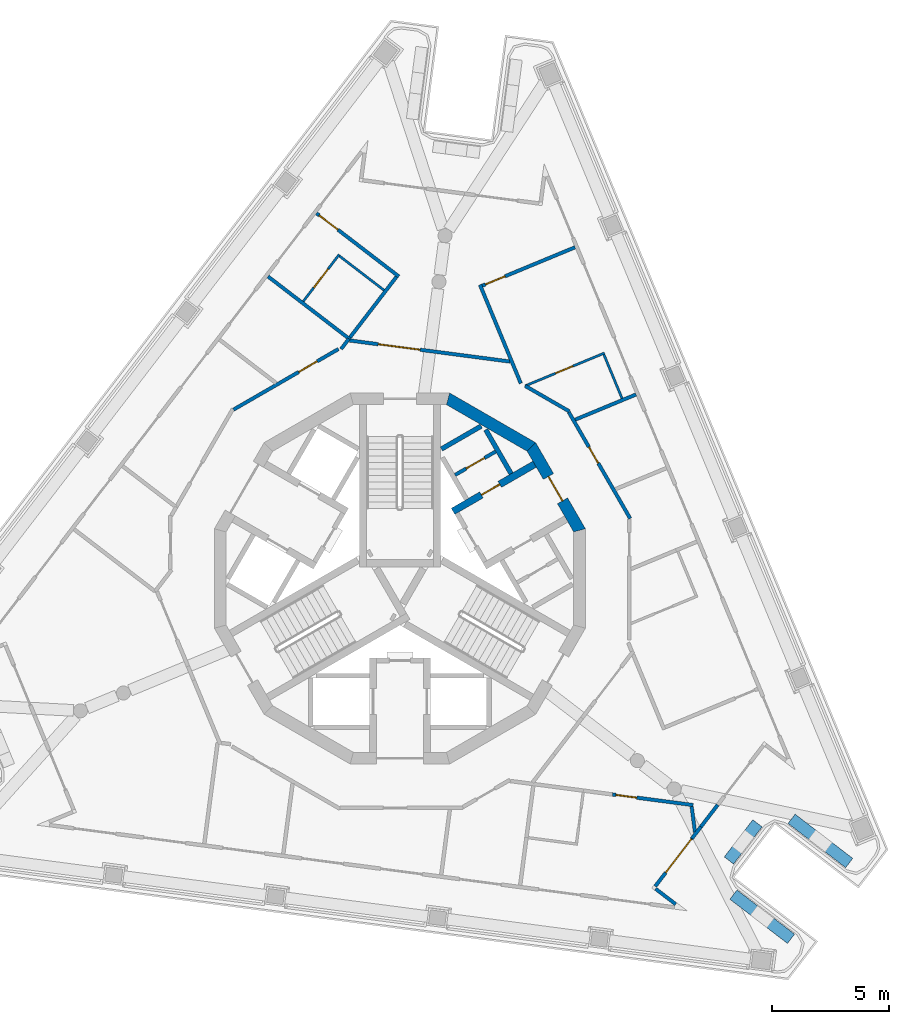
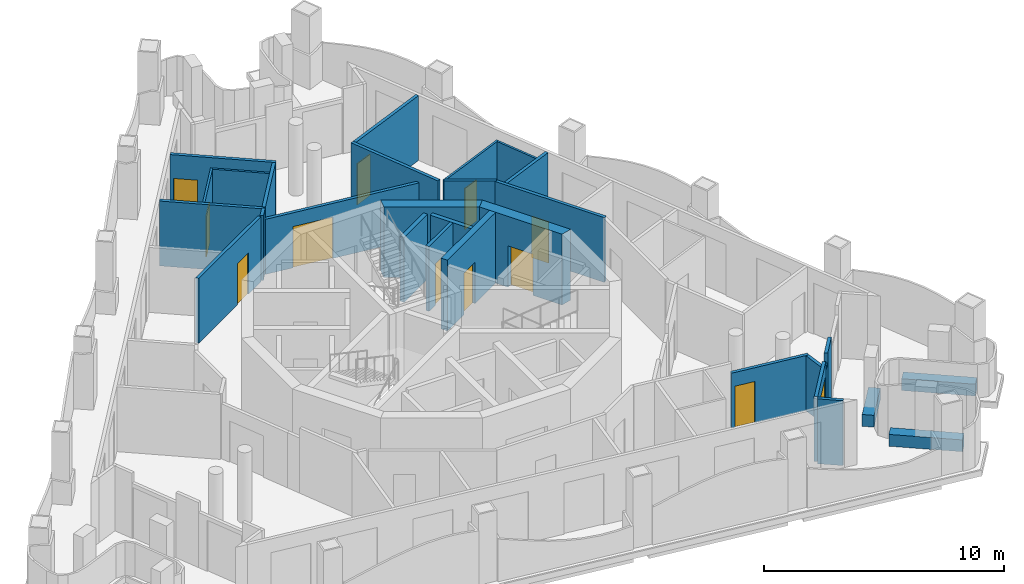
# One storey, part 5 of 13: 30 walls, 12 doors, 12 openings.
"""IFC4 building model written with IfcOpenShell, lengths in metres."""

from ifc_helpers import new_model, si_unit, direction, frame, frame_2d, origin, place, context, subcontext, project, spatial, polyline, rectangle, outline, extrude, material, layer, layer_set, type_object, element, fill, save


model = new_model("IFC4")

# Units and contexts
model_context = context("Model", 3, precision=1e-05, world=origin(), true_north=direction((0.0, 1.0)))
body_context = subcontext(model_context, "Body", "Model", "MODEL_VIEW")
ifc_project = project(units=[si_unit("LENGTHUNIT", "METRE"), si_unit("AREAUNIT", "SQUARE_METRE"), si_unit("VOLUMEUNIT", "CUBIC_METRE"), si_unit("PLANEANGLEUNIT", "RADIAN"), si_unit("MASSUNIT", "GRAM", prefix="KILO")], contexts=[model_context])

# Site, building, storey
site_placement = place(None, origin())
site = spatial("IfcSite", under=ifc_project, at=site_placement, CompositionType="ELEMENT")
building_placement = place(site_placement, origin())
building = spatial("IfcBuilding", under=site, at=building_placement, Name="Trine Commons Tower", CompositionType="ELEMENT")
storey_placement = place(building_placement, frame((0.0, 0.0, 286.199951171875)))
storey = spatial("IfcBuildingStorey", under=building, at=storey_placement, Name="L75", CompositionType="ELEMENT", Elevation=286.199951171875)

# Wall, opening, door
ifc_material_1 = material(Name="Plasterboard partition on steel studs", Category="steel")
ifc_layer_1 = layer(ifc_material_1, 0.14990234375)
ifc_layer_set_1 = layer_set([ifc_layer_1], Name="Plasterboard partition on steel studs")
wall_type_1 = type_object("IfcWallType", Name="Core room partition 150 mm, EI 60", PredefinedType="PARTITIONING", material=ifc_layer_set_1)
wall_1_placement = place(storey_placement, frame((82.35498046875, 66.919921875, 0.0), z_axis=(0.0, 0.0, 1.0), x_axis=(0.866010750942, 0.50002537861, 0.0)))
wall_1 = element("IfcWall", 1, at=wall_1_placement, inside=storey, type_object=wall_type_1, Name="Core room partition L75", PredefinedType="PARTITIONING", context=body_context, shape_type="SweptSolid", body=[
    extrude(rectangle(XDim=2.0, YDim=0.14990234375, at=frame_2d((1.0, 0.0))), origin(), (0.0, 0.0, 1.0), 3.300048828125),
])
opening_1_placement = place(wall_1_placement, frame((0.550537109375, 0.0, 0.0)))
opening_1 = element("IfcOpeningElement", 2, at=opening_1_placement, cuts=wall_1, Name="Opening K19.11", PredefinedType="OPENING", context=body_context, shape_type="SweptSolid", body=[
    extrude(rectangle(XDim=0.89990234375, YDim=2.10009765625, at=frame_2d((0.449951171875, 1.050048828125))), frame((0.0, 0.0849609375, 0.0), z_axis=(0.0, -1.0, 0.0), x_axis=(1.0, 0.0, 0.0)), (0.0, 0.0, 1.0), 0.169921875),
])
ifc_material_2 = material(Name="Steel door leaf, fire-rated", Category="steel")
door_type_1 = type_object("IfcDoorType", Name="Core room door, single leaf 900 x 2100, FD30S", OperationType="SINGLE_SWING_LEFT", PredefinedType="DOOR", material=ifc_material_2)
door_1_placement = place(opening_1_placement, origin())
door_1 = element("IfcDoor", 3, at=door_1_placement, inside=storey, type_object=door_type_1, Name="Door to Pantry L75", OperationType="SINGLE_SWING_RIGHT", OverallHeight=2.10009765625, OverallWidth=0.89990234375, PredefinedType="DOOR", context=body_context, shape_type="SweptSolid", body=[
    extrude(rectangle(XDim=0.89990234375, YDim=2.10009765625, at=frame_2d((0.449951171875, 1.050048828125))), frame((0.0, 0.02490234375, 0.0), z_axis=(0.0, -1.0, 0.0), x_axis=(1.0, 0.0, 0.0)), (0.0, 0.0, 1.0), 0.050048828125),
])
fill(opening_1, door_1)

# Walls
ifc_material_3 = material(Name="Aluminium-framed insulated wall panel", Category="aluminium")
ifc_layer_2 = layer(ifc_material_3, 0.14990234375)
ifc_layer_set_2 = layer_set([ifc_layer_2], Name="Aluminium-framed insulated wall panel")
wall_type_2 = type_object("IfcWallType", Name="Glazed frame wall 150, EI 60", PredefinedType="SOLIDWALL", material=ifc_layer_set_2)
wall_2_placement = place(storey_placement, frame((93.5673828125, 52.832275390625, 0.0), z_axis=(0.0, 0.0, 1.0), x_axis=(-0.608779373124, -0.793339570965, 0.0)))
element("IfcWall", 4, at=wall_2_placement, inside=storey, type_object=wall_type_2, Name="Glazed frame wall P2.3", PredefinedType="SOLIDWALL", context=body_context, shape_type="SweptSolid", body=[
    extrude(outline(polyline([(0.0, -0.074951171875), (1.1787109375, -0.074951171875), (1.1787109375, 0.074951171875), (0.0, 0.074951171875), (0.0, -0.074951171875)])), origin(), (0.0, 0.0, 1.0), 3.300048828125),
])
wall_3_placement = place(storey_placement, frame((92.849853515625, 51.897216796875, 0.0), z_axis=(0.0, 0.0, 1.0), x_axis=(-0.608636160299, -0.793449446642, 0.0)))
element("IfcWall", 5, at=wall_3_placement, inside=storey, type_object=wall_type_2, Name="Glazed frame wall P2.4", PredefinedType="SOLIDWALL", context=body_context, shape_type="SweptSolid", body=[
    extrude(outline(polyline([(0.0, -0.074951171875), (0.6259765625, -0.074951171875), (0.6259765625, 0.074951171875), (0.0, 0.074951171875), (0.0, -0.074951171875)])), origin(), (0.0, 0.0, 1.0), 2.800048828125),
])

# Wall, opening, door
wall_4_placement = place(storey_placement, frame((92.46875, 51.400390625, 0.0), z_axis=(0.0, 0.0, 1.0), x_axis=(-0.608752233998, -0.793360395787, 0.0)))
wall_4 = element("IfcWall", 6, at=wall_4_placement, inside=storey, type_object=wall_type_2, Name="Glazed frame wall P2.5", PredefinedType="SOLIDWALL", context=body_context, shape_type="SweptSolid", body=[
    extrude(outline(polyline([(2.57470703125, 0.074951171875), (0.0, 0.074951171875), (0.0, -0.074951171875), (2.57470703125, -0.074951171875), (2.57470703125, 0.074951171875)])), origin(), (0.0, 0.0, 1.0), 3.300048828125),
])
opening_2_placement = place(wall_4_placement, frame((0.03466796875, 0.0, 0.0)))
opening_2 = element("IfcOpeningElement", 7, at=opening_2_placement, cuts=wall_4, Name="Opening BD-8P2-02", PredefinedType="OPENING", context=body_context, shape_type="SweptSolid", body=[
    extrude(rectangle(XDim=1.800048828125, YDim=2.60009765625, at=frame_2d((0.89990234375, 1.300048828125))), frame((0.0, 0.0849609375, 0.0), z_axis=(0.0, -1.0, 0.0), x_axis=(1.0, 0.0, 0.0)), (0.0, 0.0, 1.0), 0.169921875),
])
ifc_material_4 = material(Name="Anodised aluminium frame with double glazing", Category="aluminium")
door_type_2 = type_object("IfcDoorType", Name="Sliding loggia door 1800x2600", OperationType="SLIDING_TO_LEFT", PredefinedType="DOOR", material=ifc_material_4)
door_2_placement = place(opening_2_placement, origin())
door_2 = element("IfcDoor", 8, at=door_2_placement, inside=storey, type_object=door_type_2, Name="Loggia door P2 2", OperationType="SLIDING_TO_LEFT", OverallHeight=2.60009765625, OverallWidth=1.800048828125, PredefinedType="DOOR", context=body_context, shape_type="SweptSolid", body=[
    extrude(rectangle(XDim=1.800048828125, YDim=2.60009765625, at=frame_2d((0.89990234375, 1.300048828125))), frame((0.0, 0.02490234375, 0.0), z_axis=(0.0, -1.0, 0.0), x_axis=(1.0, 0.0, 0.0)), (0.0, 0.0, 1.0), 0.050048828125),
])
fill(opening_2, door_2)

# Walls
wall_5_placement = place(storey_placement, frame((90.827880859375, 49.319580078125, 0.0), z_axis=(0.0, 0.0, 1.0), x_axis=(0.793439797287, -0.608648739488, 0.0)))
element("IfcWall", 9, at=wall_5_placement, inside=storey, type_object=wall_type_2, Name="Glazed frame wall R8", PredefinedType="SOLIDWALL", context=body_context, shape_type="SweptSolid", body=[
    extrude(outline(polyline([(0.110107421875, 0.074951171875), (0.110107421875, -0.074951171875), (1.19580078125, -0.074951171875), (1.19580078125, 0.074951171875), (0.110107421875, 0.074951171875)])), origin(), (0.0, 0.0, 1.0), 3.300048828125),
])
ifc_material_5 = material(Name="Planter trough, precast concrete C40/50", Category="concrete")
ifc_layer_3 = layer(ifc_material_5, 0.5)
ifc_layer_set_3 = layer_set([ifc_layer_3], Name="Planter trough, precast concrete C40/50")
wall_type_3 = type_object("IfcWallType", Name="Planter trough 500x600", PredefinedType="PARAPET", material=ifc_layer_set_3)
wall_6_placement = place(storey_placement, frame((99.182861328125, 50.351806640625, 0.0), z_axis=(0.0, 0.0, 1.0), x_axis=(-0.793355321014, 0.608758847671, 0.0)))
element("IfcWall", 10, at=wall_6_placement, inside=storey, type_object=wall_type_3, Name="Planter 7", PredefinedType="PARAPET", context=body_context, shape_type="SweptSolid", body=[
    extrude(rectangle(XDim=3.10009765625, YDim=0.5, at=frame_2d((1.550048828125, 0.0))), origin(), (0.0, 0.0, 1.0), 0.60009765625),
])
wall_7_placement = place(storey_placement, frame((95.265380859375, 52.047119140625, 0.0), z_axis=(0.0, 0.0, 1.0), x_axis=(-0.608790203715, -0.793331259853, 0.0)))
element("IfcWall", 11, at=wall_7_placement, inside=storey, type_object=wall_type_3, Name="Planter 8", PredefinedType="PARAPET", context=body_context, shape_type="SweptSolid", body=[
    extrude(rectangle(XDim=2.000244140625, YDim=0.5, at=frame_2d((1.0, 0.0))), origin(), (0.0, 0.0, 1.0), 0.60009765625),
])
wall_8_placement = place(storey_placement, frame((94.23974609375, 49.002197265625, 0.0), z_axis=(0.0, 0.0, 1.0), x_axis=(0.793355321014, -0.608758847671, 0.0)))
element("IfcWall", 12, at=wall_8_placement, inside=storey, type_object=wall_type_3, Name="Planter 9", PredefinedType="PARAPET", context=body_context, shape_type="SweptSolid", body=[
    extrude(rectangle(XDim=3.10009765625, YDim=0.5, at=frame_2d((1.550048828125, 0.0))), origin(), (0.0, 0.0, 1.0), 0.60009765625),
])

# Wall, opening, door
ifc_material_6 = material(Name="Concrete C50/60", Category="concrete")
ifc_layer_4 = layer(ifc_material_6, 0.300048828125)
ifc_layer_set_4 = layer_set([ifc_layer_4], Name="Concrete C50/60")
wall_type_4 = type_object("IfcWallType", Name="RC shear wall 300 mm, C50/60", PredefinedType="SHEAR", material=ifc_layer_set_4)
wall_9_placement = place(storey_placement, frame((82.26904296875, 65.368896484375, 0.0), z_axis=(0.0, 0.0, 1.0), x_axis=(0.866056154689, 0.499946734088, 0.0)))
wall_9 = element("IfcWall", 13, at=wall_9_placement, inside=storey, type_object=wall_type_4, Name="Core cross wall SWD-05 L75", PredefinedType="SHEAR", context=body_context, shape_type="SweptSolid", body=[
    extrude(rectangle(XDim=4.0205078125, YDim=0.300048828125, at=frame_2d((2.01025390625, 0.0))), origin(), (0.0, 0.0, 1.0), 3.60009765625),
])
opening_3_placement = place(wall_9_placement, frame((1.400390625, 0.0, 0.0)))
opening_3 = element("IfcOpeningElement", 14, at=opening_3_placement, cuts=wall_9, Name="Opening K19.10", PredefinedType="OPENING", context=body_context, shape_type="SweptSolid", body=[
    extrude(rectangle(XDim=0.89990234375, YDim=2.10009765625, at=frame_2d((0.449951171875, 1.050048828125))), frame((0.0, 0.159912109375, 0.0), z_axis=(0.0, -1.0, 0.0), x_axis=(1.0, 0.0, 0.0)), (0.0, 0.0, 1.0), 0.320068359375),
])
door_3_placement = place(opening_3_placement, origin())
door_3 = element("IfcDoor", 15, at=door_3_placement, inside=storey, type_object=door_type_1, Name="Door to Linen store L75", OperationType="SINGLE_SWING_LEFT", OverallHeight=2.10009765625, OverallWidth=0.89990234375, PredefinedType="DOOR", context=body_context, shape_type="SweptSolid", body=[
    extrude(rectangle(XDim=0.89990234375, YDim=2.10009765625, at=frame_2d((0.449951171875, 1.050048828125))), frame((0.0, 0.02490234375, 0.0), z_axis=(0.0, -1.0, 0.0), x_axis=(1.0, 0.0, 0.0)), (0.0, 0.0, 1.0), 0.050048828125),
])
fill(opening_3, door_3)

ifc_layer_5 = layer(ifc_material_6, 0.5)
ifc_layer_set_5 = layer_set([ifc_layer_5], Name="Concrete C50/60")
wall_type_5 = type_object("IfcWallType", Name="RC shear wall 500 mm, C50/60", PredefinedType="SHEAR", material=ifc_layer_set_5)
wall_10_placement = place(storey_placement, frame((87.7041015625, 64.497314453125, 0.0), z_axis=(0.0, 0.0, 1.0), x_axis=(-0.499992968425, 0.866029463428, 0.0)))
wall_10 = element("IfcWall", 16, at=wall_10_placement, inside=storey, type_object=wall_type_5, Name="Core wall CWH-02 L75", PredefinedType="SHEAR", context=body_context, shape_type="SweptSolid", body=[
    extrude(outline(polyline([(0.0, -0.25), (4.24462890625, -0.25), (4.110595703125, 0.25), (0.134033203125, 0.25), (0.0, -0.25)])), origin(), (0.0, 0.0, 1.0), 3.60009765625),
])
opening_4_placement = place(wall_10_placement, frame((1.5224609375, 0.0, 0.0)))
opening_4 = element("IfcOpeningElement", 17, at=opening_4_placement, cuts=wall_10, Name="Opening K19.04", PredefinedType="OPENING", context=body_context, shape_type="SweptSolid", body=[
    extrude(rectangle(XDim=1.199951171875, YDim=2.10009765625, at=frame_2d((0.60009765625, 1.050048828125))), frame((0.0, 0.260009765625, 0.0), z_axis=(0.0, -1.0, 0.0), x_axis=(1.0, 0.0, 0.0)), (0.0, 0.0, 1.0), 0.52001953125),
])
ifc_material_7 = material(Name="Steel door leaves, fire-rated", Category="steel")
door_type_3 = type_object("IfcDoorType", Name="Lobby door, double leaf 1200 x 2100, FD60", OperationType="DOUBLE_DOOR_SINGLE_SWING", PredefinedType="DOOR", material=ifc_material_7)
door_4_placement = place(opening_4_placement, origin())
door_4 = element("IfcDoor", 18, at=door_4_placement, inside=storey, type_object=door_type_3, Name="Lobby door, Core lounge L75", OperationType="DOUBLE_DOOR_SINGLE_SWING", OverallHeight=2.10009765625, OverallWidth=1.199951171875, PredefinedType="DOOR", context=body_context, shape_type="SweptSolid", body=[
    extrude(rectangle(XDim=1.199951171875, YDim=2.10009765625, at=frame_2d((0.60009765625, 1.050048828125))), frame((0.0, 0.02490234375, 0.0), z_axis=(0.0, -1.0, 0.0), x_axis=(1.0, 0.0, 0.0)), (0.0, 0.0, 1.0), 0.050048828125),
])
fill(opening_4, door_4)

# Walls
wall_11_placement = place(storey_placement, frame((85.67333984375, 68.081787109375, 0.0), z_axis=(0.0, 0.0, 1.0), x_axis=(-0.866029463428, 0.499992968425, 0.0)))
element("IfcWall", 19, at=wall_11_placement, inside=storey, type_object=wall_type_5, Name="Core wall CWH-03 L75", PredefinedType="SHEAR", context=body_context, shape_type="SweptSolid", body=[
    extrude(outline(polyline([(0.0, -0.25), (4.24462890625, -0.25), (4.110595703125, 0.25), (0.134033203125, 0.25), (0.0, -0.25)])), origin(), (0.0, 0.0, 1.0), 3.60009765625),
])
ifc_material_8 = material(Name="Fire-rated gypsum shaft wall system")
ifc_layer_6 = layer(ifc_material_8, 0.199951171875)
ifc_layer_set_6 = layer_set([ifc_layer_6], Name="Fire-rated gypsum shaft wall system")
wall_type_6 = type_object("IfcWallType", Name="Shaft wall 200 mm, EI 120", PredefinedType="PARTITIONING", material=ifc_layer_set_6)
wall_12_placement = place(storey_placement, frame((81.77490234375, 68.028076171875, 0.0), z_axis=(0.0, 0.0, 1.0), x_axis=(0.866071410914, 0.499920304846, 0.0)))
element("IfcWall", 20, at=wall_12_placement, inside=storey, type_object=wall_type_6, Name="Shaft wall L75", PredefinedType="PARTITIONING", context=body_context, shape_type="SweptSolid", body=[
    extrude(rectangle(XDim=1.958251953125, YDim=0.199951171875, at=frame_2d((0.97900390625, 0.0))), origin(), (0.0, 0.0, 1.0), 3.300048828125),
])
wall_13_placement = place(storey_placement, frame((84.7490234375, 66.97412109375, 0.0), z_axis=(0.0, 0.0, 1.0), x_axis=(-0.500060114735, 0.865990693744, 0.0)))
element("IfcWall", 21, at=wall_13_placement, inside=storey, type_object=wall_type_6, Name="Shaft wall L75", PredefinedType="PARTITIONING", context=body_context, shape_type="SweptSolid", body=[
    extrude(rectangle(XDim=2.169677734375, YDim=0.199951171875, at=frame_2d((1.0849609375, 0.0))), origin(), (0.0, 0.0, 1.0), 3.300048828125),
])

# Wall, opening, door
ifc_material_9 = material(Name="Gypsum plasterboard on steel stud", Category="steel")
ifc_layer_7 = layer(ifc_material_9, 0.14990234375)
ifc_layer_set_7 = layer_set([ifc_layer_7], Name="Gypsum plasterboard on steel stud")
wall_type_7 = type_object("IfcWallType", Name="Unit and corridor wall 150 mm, EI 60", PredefinedType="PARTITIONING", material=ifc_layer_set_7)
wall_14_placement = place(storey_placement, frame((72.893798828125, 69.70849609375, 0.0), z_axis=(0.0, 0.0, 1.0), x_axis=(0.866010370781, 0.500026037022, 0.0)))
wall_14 = element("IfcWall", 22, at=wall_14_placement, inside=storey, type_object=wall_type_7, Name="Partition 014", PredefinedType="PARTITIONING", context=body_context, shape_type="SweptSolid", body=[
    extrude(rectangle(XDim=5.174560546875, YDim=0.14990234375, at=frame_2d((2.58740234375, 0.0))), origin(), (0.0, 0.0, 1.0), 3.300048828125),
])
opening_5_placement = place(wall_14_placement, frame((3.223876953125, 0.0, 0.0)))
opening_5 = element("IfcOpeningElement", 23, at=opening_5_placement, cuts=wall_14, Name="Opening D-8B06", PredefinedType="OPENING", context=body_context, shape_type="SweptSolid", body=[
    extrude(rectangle(XDim=0.89990234375, YDim=2.10009765625, at=frame_2d((0.449951171875, 1.050048828125))), frame((0.0, 0.0849609375, 0.0), z_axis=(0.0, -1.0, 0.0), x_axis=(1.0, 0.0, 0.0)), (0.0, 0.0, 1.0), 0.169921875),
])
ifc_material_10 = material(Name="Timber fire door set", Category="wood")
door_type_4 = type_object("IfcDoorType", Name="Service door 900 x 2100, FD30S", OperationType="NOTDEFINED", PredefinedType="DOOR", material=ifc_material_10)
door_5_placement = place(opening_5_placement, origin())
door_5 = element("IfcDoor", 24, at=door_5_placement, inside=storey, type_object=door_type_4, Name="Door D-8B06", OperationType="SINGLE_SWING_RIGHT", OverallHeight=2.10009765625, OverallWidth=0.89990234375, PredefinedType="DOOR", context=body_context, shape_type="SweptSolid", body=[
    extrude(rectangle(XDim=0.89990234375, YDim=2.10009765625, at=frame_2d((0.449951171875, 1.050048828125))), frame((0.0, 0.02490234375, 0.0), z_axis=(0.0, -1.0, 0.0), x_axis=(1.0, 0.0, 0.0)), (0.0, 0.0, 1.0), 0.050048828125),
])
fill(opening_5, door_5)

# Wall
wall_15_placement = place(storey_placement, frame((74.36865234375, 75.39453125, 0.0), z_axis=(0.0, 0.0, 1.0), x_axis=(0.793339619552, -0.608779309807, 0.0)))
element("IfcWall", 25, at=wall_15_placement, inside=storey, type_object=wall_type_7, Name="Partition 015", PredefinedType="PARTITIONING", context=body_context, shape_type="SweptSolid", body=[
    extrude(rectangle(XDim=4.435546875, YDim=0.14990234375, at=frame_2d((2.2177734375, 0.0))), origin(), (0.0, 0.0, 1.0), 3.300048828125),
])

# Wall, opening, door
wall_16_placement = place(storey_placement, frame((76.438720703125, 78.092529296875, 0.0), z_axis=(0.0, 0.0, 1.0), x_axis=(0.793339619552, -0.608779309807, 0.0)))
wall_16 = element("IfcWall", 26, at=wall_16_placement, inside=storey, type_object=wall_type_7, Name="Partition 018", PredefinedType="PARTITIONING", context=body_context, shape_type="SweptSolid", body=[
    extrude(rectangle(XDim=4.435546875, YDim=0.14990234375, at=frame_2d((2.2177734375, 0.0))), origin(), (0.0, 0.0, 1.0), 3.300048828125),
])
opening_6_placement = place(wall_16_placement, frame((0.14990234375, 0.0, 0.0)))
opening_6 = element("IfcOpeningElement", 27, at=opening_6_placement, cuts=wall_16, Name="Opening D-8B07", PredefinedType="OPENING", context=body_context, shape_type="SweptSolid", body=[
    extrude(rectangle(XDim=1.0, YDim=2.10009765625, at=frame_2d((0.5, 1.050048828125))), frame((0.0, 0.0849609375, 0.0), z_axis=(0.0, -1.0, 0.0), x_axis=(1.0, 0.0, 0.0)), (0.0, 0.0, 1.0), 0.169921875),
])
door_type_5 = type_object("IfcDoorType", Name="Bedroom door 1000 x 2100, FD30S", OperationType="NOTDEFINED", PredefinedType="DOOR", material=ifc_material_10)
door_6_placement = place(opening_6_placement, frame((1.0, 0.0, 0.0), z_axis=(0.0, 0.0, 1.0), x_axis=(-1.0, 0.0, 0.0)))
door_6 = element("IfcDoor", 28, at=door_6_placement, inside=storey, type_object=door_type_5, Name="Door D-8B07", OperationType="SINGLE_SWING_RIGHT", OverallHeight=2.10009765625, OverallWidth=1.0, PredefinedType="DOOR", context=body_context, shape_type="SweptSolid", body=[
    extrude(rectangle(XDim=1.0, YDim=2.10009765625, at=frame_2d((0.5, 1.050048828125))), frame((0.0, 0.02490234375, 0.0), z_axis=(0.0, -1.0, 0.0), x_axis=(1.0, 0.0, 0.0)), (0.0, 0.0, 1.0), 0.050048828125),
])
fill(opening_6, door_6)

# Wall
wall_17_placement = place(storey_placement, frame((77.487060546875, 72.2958984375, 0.0), z_axis=(0.0, 0.0, 1.0), x_axis=(0.608207837142, 0.793777819569, 0.0)))
element("IfcWall", 29, at=wall_17_placement, inside=storey, type_object=wall_type_7, Name="Partition 021", PredefinedType="PARTITIONING", context=body_context, shape_type="SweptSolid", body=[
    extrude(rectangle(XDim=0.550048828125, YDim=0.14990234375, at=frame_2d((0.27490234375, 0.0))), origin(), (0.0, 0.0, 1.0), 3.300048828125),
])

# Wall, opening, door
wall_18_placement = place(storey_placement, frame((77.850341796875, 72.6630859375, 0.0), z_axis=(0.0, 0.0, 1.0), x_axis=(0.991450329661, -0.130484649732, 0.0)))
wall_18 = element("IfcWall", 30, at=wall_18_placement, inside=storey, type_object=wall_type_7, Name="Partition 022", PredefinedType="PARTITIONING", context=body_context, shape_type="SweptSolid", body=[
    extrude(rectangle(XDim=6.915283203125, YDim=0.14990234375, at=frame_2d((3.45751953125, 0.0))), origin(), (0.0, 0.0, 1.0), 2.800048828125),
])
opening_7_placement = place(wall_18_placement, frame((1.236572265625, 0.0, 0.0)))
opening_7 = element("IfcOpeningElement", 31, at=opening_7_placement, cuts=wall_18, Name="Opening D-8B01", PredefinedType="OPENING", context=body_context, shape_type="SweptSolid", body=[
    extrude(rectangle(XDim=1.800048828125, YDim=2.10009765625, at=frame_2d((0.89990234375, 1.050048828125))), frame((0.0, 0.0849609375, 0.0), z_axis=(0.0, -1.0, 0.0), x_axis=(1.0, 0.0, 0.0)), (0.0, 0.0, 1.0), 0.169921875),
])
door_type_6 = type_object("IfcDoorType", Name="Cluster entrance door 1800 x 2100, double leaf, FD30S", OperationType="DOUBLE_DOOR_DOUBLE_SWING", PredefinedType="DOOR", material=ifc_material_10)
door_7_placement = place(opening_7_placement, origin())
door_7 = element("IfcDoor", 32, at=door_7_placement, inside=storey, type_object=door_type_6, Name="Door D-8B01", OperationType="DOUBLE_DOOR_DOUBLE_SWING", OverallHeight=2.10009765625, OverallWidth=1.800048828125, PredefinedType="DOOR", context=body_context, shape_type="SweptSolid", body=[
    extrude(rectangle(XDim=1.800048828125, YDim=2.10009765625, at=frame_2d((0.89990234375, 1.050048828125))), frame((0.0, 0.02490234375, 0.0), z_axis=(0.0, -1.0, 0.0), x_axis=(1.0, 0.0, 0.0)), (0.0, 0.0, 1.0), 0.050048828125),
])
fill(opening_7, door_7)

# Walls
wall_19_placement = place(storey_placement, frame((77.873779296875, 72.799560546875, 0.0), z_axis=(0.0, 0.0, 1.0), x_axis=(0.608701151958, 0.793399588861, 0.0)))
element("IfcWall", 33, at=wall_19_placement, inside=storey, type_object=wall_type_7, Name="Partition 023", PredefinedType="PARTITIONING", context=body_context, shape_type="SweptSolid", body=[
    extrude(rectangle(XDim=3.25048828125, YDim=0.14990234375, at=frame_2d((1.625244140625, 0.0))), origin(), (0.0, 0.0, 1.0), 3.300048828125),
])
wall_20_placement = place(storey_placement, frame((83.418212890625, 75.040283203125, 0.0), z_axis=(0.0, 0.0, 1.0), x_axis=(0.382754048206, -0.923850279311, 0.0)))
element("IfcWall", 34, at=wall_20_placement, inside=storey, type_object=wall_type_7, Name="Partition 026", PredefinedType="PARTITIONING", context=body_context, shape_type="SweptSolid", body=[
    extrude(rectangle(XDim=4.55615234375, YDim=0.14990234375, at=frame_2d((2.278076171875, 0.0))), origin(), (0.0, 0.0, 1.0), 3.300048828125),
])

# Wall, opening, door
wall_21_placement = place(storey_placement, frame((83.516357421875, 74.999755859375, 0.0), z_axis=(0.0, 0.0, 1.0), x_axis=(0.923868914467, 0.382709065586, 0.0)))
wall_21 = element("IfcWall", 35, at=wall_21_placement, inside=storey, type_object=wall_type_7, Name="Partition 027", PredefinedType="PARTITIONING", context=body_context, shape_type="SweptSolid", body=[
    extrude(rectangle(XDim=4.284912109375, YDim=0.14990234375, at=frame_2d((2.142578125, 0.0))), origin(), (0.0, 0.0, 1.0), 3.300048828125),
])
opening_8_placement = place(wall_21_placement, frame((0.14990234375, 0.0, 0.0)))
opening_8 = element("IfcOpeningElement", 36, at=opening_8_placement, cuts=wall_21, Name="Opening D-8B08", PredefinedType="OPENING", context=body_context, shape_type="SweptSolid", body=[
    extrude(rectangle(XDim=0.89990234375, YDim=2.10009765625, at=frame_2d((0.449951171875, 1.050048828125))), frame((0.0, 0.0849609375, 0.0), z_axis=(0.0, -1.0, 0.0), x_axis=(1.0, 0.0, 0.0)), (0.0, 0.0, 1.0), 0.169921875),
])
door_type_7 = type_object("IfcDoorType", Name="Bedroom door 900 x 2100, FD30S", OperationType="NOTDEFINED", PredefinedType="DOOR", material=ifc_material_10)
door_8_placement = place(opening_8_placement, frame((0.89990234375, 0.0, 0.0), z_axis=(0.0, 0.0, 1.0), x_axis=(-1.0, 0.0, 0.0)))
door_8 = element("IfcDoor", 37, at=door_8_placement, inside=storey, type_object=door_type_7, Name="Door D-8B08", OperationType="SINGLE_SWING_RIGHT", OverallHeight=2.10009765625, OverallWidth=0.89990234375, PredefinedType="DOOR", context=body_context, shape_type="SweptSolid", body=[
    extrude(rectangle(XDim=0.89990234375, YDim=2.10009765625, at=frame_2d((0.449951171875, 1.050048828125))), frame((0.0, 0.02490234375, 0.0), z_axis=(0.0, -1.0, 0.0), x_axis=(1.0, 0.0, 0.0)), (0.0, 0.0, 1.0), 0.050048828125),
])
fill(opening_8, door_8)

# Wall
wall_22_placement = place(storey_placement, frame((85.344970703125, 70.72509765625, 0.0), z_axis=(0.0, 0.0, 1.0), x_axis=(0.866081326898, -0.499903125815, 0.0)))
element("IfcWall", 38, at=wall_22_placement, inside=storey, type_object=wall_type_7, Name="Partition 030", PredefinedType="PARTITIONING", context=body_context, shape_type="SweptSolid", body=[
    extrude(rectangle(XDim=2.18359375, YDim=0.14990234375, at=frame_2d((1.091796875, 0.0))), origin(), (0.0, 0.0, 1.0), 3.300048828125),
])

# Wall, opening, door
wall_23_placement = place(storey_placement, frame((87.20849609375, 69.606201171875, 0.0), z_axis=(0.0, 0.0, 1.0), x_axis=(0.500040482552, -0.866002029911, 0.0)))
wall_23 = element("IfcWall", 39, at=wall_23_placement, inside=storey, type_object=wall_type_7, Name="Partition 036", PredefinedType="PARTITIONING", context=body_context, shape_type="SweptSolid", body=[
    extrude(rectangle(XDim=5.24951171875, YDim=0.14990234375, at=frame_2d((2.624755859375, 0.0))), origin(), (0.0, 0.0, 1.0), 3.300048828125),
])
opening_9_placement = place(wall_23_placement, frame((1.724609375, 0.0, 0.0)))
opening_9 = element("IfcOpeningElement", 40, at=opening_9_placement, cuts=wall_23, Name="Opening D-8B09", PredefinedType="OPENING", context=body_context, shape_type="SweptSolid", body=[
    extrude(rectangle(XDim=0.800048828125, YDim=2.10009765625, at=frame_2d((0.39990234375, 1.050048828125))), frame((0.0, 0.0849609375, 0.0), z_axis=(0.0, -1.0, 0.0), x_axis=(1.0, 0.0, 0.0)), (0.0, 0.0, 1.0), 0.169921875),
])
ifc_material_11 = material(Name="Painted timber", Category="wood")
door_type_8 = type_object("IfcDoorType", Name="Toilet door 800 x 2100, NOT RATED", OperationType="NOTDEFINED", PredefinedType="DOOR", material=ifc_material_11)
door_9_placement = place(opening_9_placement, origin())
door_9 = element("IfcDoor", 41, at=door_9_placement, inside=storey, type_object=door_type_8, Name="Door D-8B09", OperationType="SINGLE_SWING_LEFT", OverallHeight=2.10009765625, OverallWidth=0.800048828125, PredefinedType="DOOR", context=body_context, shape_type="SweptSolid", body=[
    extrude(rectangle(XDim=0.800048828125, YDim=2.10009765625, at=frame_2d((0.39990234375, 1.050048828125))), frame((0.0, 0.02490234375, 0.0), z_axis=(0.0, -1.0, 0.0), x_axis=(1.0, 0.0, 0.0)), (0.0, 0.0, 1.0), 0.050048828125),
])
fill(opening_9, door_9)

# Wall
wall_24_placement = place(storey_placement, frame((87.482421875, 69.27978515625, 0.0), z_axis=(0.0, 0.0, 1.0), x_axis=(0.923772104672, 0.382942683218, 0.0)))
element("IfcWall", 42, at=wall_24_placement, inside=storey, type_object=wall_type_7, Name="Partition 037", PredefinedType="PARTITIONING", context=body_context, shape_type="SweptSolid", body=[
    extrude(rectangle(XDim=2.8095703125, YDim=0.14990234375, at=frame_2d((1.40478515625, 0.0))), origin(), (0.0, 0.0, 1.0), 3.300048828125),
])

# Wall, opening, door
wall_25_placement = place(storey_placement, frame((89.075927734375, 53.279052734375, 0.0), z_axis=(0.0, 0.0, 1.0), x_axis=(0.991440664794, -0.130558064451, 0.0)))
wall_25 = element("IfcWall", 43, at=wall_25_placement, inside=storey, type_object=wall_type_7, Name="Partition 043", PredefinedType="PARTITIONING", context=body_context, shape_type="SweptSolid", body=[
    extrude(rectangle(XDim=3.476318359375, YDim=0.14990234375, at=frame_2d((1.73828125, 0.0))), origin(), (0.0, 0.0, 1.0), 2.800048828125),
])
opening_10_placement = place(wall_25_placement, frame((0.14990234375, 0.0, 0.0)))
opening_10 = element("IfcOpeningElement", 44, at=opening_10_placement, cuts=wall_25, Name="Opening D-8B12", PredefinedType="OPENING", context=body_context, shape_type="SweptSolid", body=[
    extrude(rectangle(XDim=0.89990234375, YDim=2.10009765625, at=frame_2d((0.449951171875, 1.050048828125))), frame((0.0, 0.0849609375, 0.0), z_axis=(0.0, -1.0, 0.0), x_axis=(1.0, 0.0, 0.0)), (0.0, 0.0, 1.0), 0.169921875),
])
door_10_placement = place(opening_10_placement, frame((0.89990234375, 0.0, 0.0), z_axis=(0.0, 0.0, 1.0), x_axis=(-1.0, 0.0, 0.0)))
door_10 = element("IfcDoor", 45, at=door_10_placement, inside=storey, type_object=door_type_7, Name="Door D-8B12", OperationType="SINGLE_SWING_RIGHT", OverallHeight=2.10009765625, OverallWidth=0.89990234375, PredefinedType="DOOR", context=body_context, shape_type="SweptSolid", body=[
    extrude(rectangle(XDim=0.89990234375, YDim=2.10009765625, at=frame_2d((0.449951171875, 1.050048828125))), frame((0.0, 0.02490234375, 0.0), z_axis=(0.0, -1.0, 0.0), x_axis=(1.0, 0.0, 0.0)), (0.0, 0.0, 1.0), 0.050048828125),
])
fill(opening_10, door_10)

# Wall
wall_26_placement = place(storey_placement, frame((92.45751953125, 52.760498046875, 0.0), z_axis=(0.0, 0.0, 1.0), x_axis=(0.127865498342, -0.991791517575, 0.0)))
element("IfcWall", 46, at=wall_26_placement, inside=storey, type_object=wall_type_7, Name="Partition 053", PredefinedType="PARTITIONING", context=body_context, shape_type="SweptSolid", body=[
    extrude(rectangle(XDim=1.097900390625, YDim=0.14990234375, at=frame_2d((0.548828125, 0.0))), origin(), (0.0, 0.0, 1.0), 2.800048828125),
])

# Wall, opening, door
ifc_layer_8 = layer(ifc_material_9, 0.10009765625)
ifc_layer_set_8 = layer_set([ifc_layer_8], Name="Gypsum plasterboard on steel stud")
wall_type_8 = type_object("IfcWallType", Name="Unit partition 100 mm, no rating", PredefinedType="PARTITIONING", material=ifc_layer_set_8)
wall_27_placement = place(storey_placement, frame((75.874755859375, 74.33349609375, 0.0), z_axis=(0.0, 0.0, 1.0), x_axis=(0.608644686475, 0.793442906343, 0.0)))
wall_27 = element("IfcWall", 47, at=wall_27_placement, inside=storey, type_object=wall_type_8, Name="Partition 017", PredefinedType="PARTITIONING", context=body_context, shape_type="SweptSolid", body=[
    extrude(rectangle(XDim=2.524658203125, YDim=0.10009765625, at=frame_2d((1.26220703125, 0.0))), origin(), (0.0, 0.0, 1.0), 3.300048828125),
])
opening_11_placement = place(wall_27_placement, frame((0.7373046875, 0.0, 0.0)))
opening_11 = element("IfcOpeningElement", 48, at=opening_11_placement, cuts=wall_27, Name="Opening D-8B16", PredefinedType="OPENING", context=body_context, shape_type="SweptSolid", body=[
    extrude(rectangle(XDim=1.0, YDim=2.10009765625, at=frame_2d((0.5, 1.050048828125))), frame((0.0, 0.06005859375, 0.0), z_axis=(0.0, -1.0, 0.0), x_axis=(1.0, 0.0, 0.0)), (0.0, 0.0, 1.0), 0.1201171875),
])
door_type_9 = type_object("IfcDoorType", Name="Internal door 1000 x 2100, NOT RATED", OperationType="NOTDEFINED", PredefinedType="DOOR", material=ifc_material_11)
door_11_placement = place(opening_11_placement, origin())
door_11 = element("IfcDoor", 49, at=door_11_placement, inside=storey, type_object=door_type_9, Name="Door D-8B16", OperationType="SINGLE_SWING_LEFT", OverallHeight=2.10009765625, OverallWidth=1.0, PredefinedType="DOOR", context=body_context, shape_type="SweptSolid", body=[
    extrude(rectangle(XDim=1.0, YDim=2.10009765625, at=frame_2d((0.5, 1.050048828125))), frame((0.0, 0.02490234375, 0.0), z_axis=(0.0, -1.0, 0.0), x_axis=(1.0, 0.0, 0.0)), (0.0, 0.0, 1.0), 0.050048828125),
])
fill(opening_11, door_11)

# Wall
wall_28_placement = place(storey_placement, frame((77.420654296875, 76.2666015625, 0.0), z_axis=(0.0, 0.0, 1.0), x_axis=(0.793320776326, -0.608803864844, 0.0)))
element("IfcWall", 50, at=wall_28_placement, inside=storey, type_object=wall_type_8, Name="Partition 020", PredefinedType="PARTITIONING", context=body_context, shape_type="SweptSolid", body=[
    extrude(rectangle(XDim=2.394775390625, YDim=0.10009765625, at=frame_2d((1.197265625, 0.0))), origin(), (0.0, 0.0, 1.0), 3.300048828125),
])

# Wall, opening, door
wall_29_placement = place(storey_placement, frame((85.347900390625, 70.722900390625, 0.0), z_axis=(0.0, 0.0, 1.0), x_axis=(0.923890260687, 0.382657531231, 0.0)))
wall_29 = element("IfcWall", 51, at=wall_29_placement, inside=storey, type_object=wall_type_8, Name="Partition 031", PredefinedType="PARTITIONING", context=body_context, shape_type="SweptSolid", body=[
    extrude(rectangle(XDim=3.667236328125, YDim=0.10009765625, at=frame_2d((1.83349609375, 0.0))), origin(), (0.0, 0.0, 1.0), 3.300048828125),
])
opening_12_placement = place(wall_29_placement, frame((1.40869140625, 0.0, 0.0)))
opening_12 = element("IfcOpeningElement", 52, at=opening_12_placement, cuts=wall_29, Name="Opening D-8B17", PredefinedType="OPENING", context=body_context, shape_type="SweptSolid", body=[
    extrude(rectangle(XDim=0.800048828125, YDim=2.10009765625, at=frame_2d((0.39990234375, 1.050048828125))), frame((0.0, 0.06005859375, 0.0), z_axis=(0.0, -1.0, 0.0), x_axis=(1.0, 0.0, 0.0)), (0.0, 0.0, 1.0), 0.1201171875),
])
door_type_10 = type_object("IfcDoorType", Name="Internal door 800 x 2100, NOT RATED", OperationType="NOTDEFINED", PredefinedType="DOOR", material=ifc_material_11)
door_12_placement = place(opening_12_placement, origin())
door_12 = element("IfcDoor", 53, at=door_12_placement, inside=storey, type_object=door_type_10, Name="Door D-8B17", OperationType="SINGLE_SWING_LEFT", OverallHeight=2.10009765625, OverallWidth=0.800048828125, PredefinedType="DOOR", context=body_context, shape_type="SweptSolid", body=[
    extrude(rectangle(XDim=0.800048828125, YDim=2.10009765625, at=frame_2d((0.39990234375, 1.050048828125))), frame((0.0, 0.02490234375, 0.0), z_axis=(0.0, -1.0, 0.0), x_axis=(1.0, 0.0, 0.0)), (0.0, 0.0, 1.0), 0.050048828125),
])
fill(opening_12, door_12)

# Wall
wall_30_placement = place(storey_placement, frame((88.708984375, 72.060791015625, 0.0), z_axis=(0.0, 0.0, 1.0), x_axis=(0.382508001923, -0.923952178668, 0.0)))
element("IfcWall", 54, at=wall_30_placement, inside=storey, type_object=wall_type_8, Name="Partition 042", PredefinedType="PARTITIONING", context=body_context, shape_type="SweptSolid", body=[
    extrude(rectangle(XDim=2.024658203125, YDim=0.10009765625, at=frame_2d((1.01220703125, 0.0))), origin(), (0.0, 0.0, 1.0), 3.300048828125),
])

save(model, "model.ifc")
